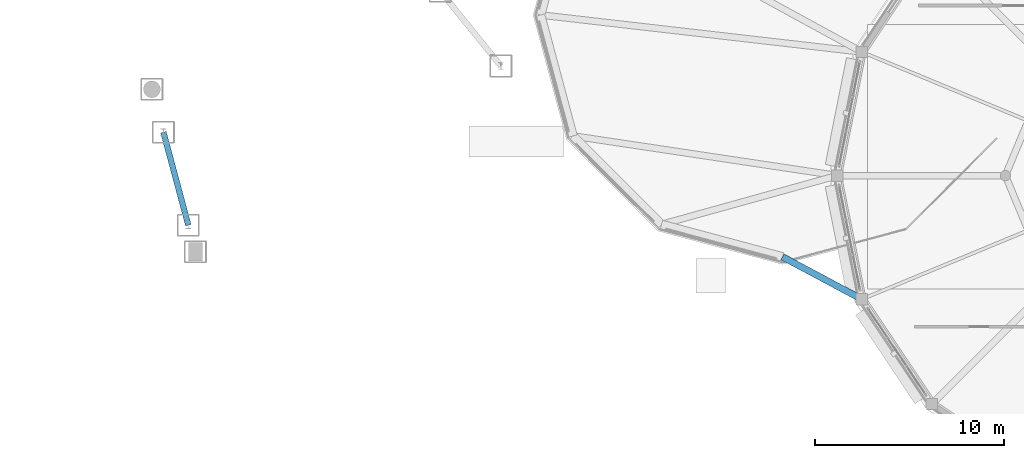
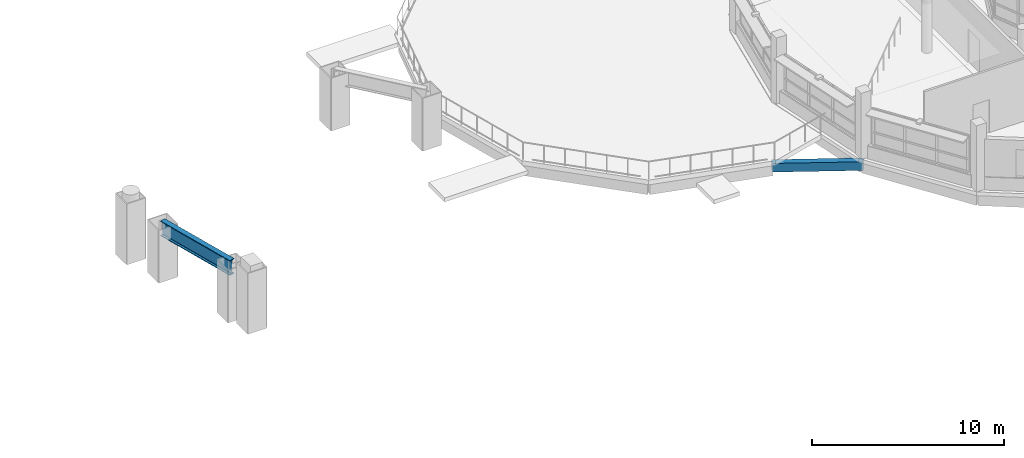
# One storey, part 36 of 128: 2 beams.
"""IFC4 building model written with IfcOpenShell, lengths in metres."""

from ifc_helpers import new_model, si_unit, direction, frame, origin, origin_2d, place, context, subcontext, project, spatial, rectangle, i_section, extrude, material, material_profile, profile_set, type_object, element, save


model = new_model("IFC4")

# Units and contexts
model_context = context("Model", 3, precision=1e-05, world=origin(), true_north=direction((0.0, 1.0)))
body_context = subcontext(model_context, "Body", "Model", "MODEL_VIEW")
ifc_project = project(units=[si_unit("LENGTHUNIT", "METRE"), si_unit("AREAUNIT", "SQUARE_METRE"), si_unit("VOLUMEUNIT", "CUBIC_METRE"), si_unit("PLANEANGLEUNIT", "RADIAN"), si_unit("MASSUNIT", "GRAM", prefix="KILO")], contexts=[model_context])

# Site, building, storey
site_placement = place(None, origin())
site = spatial("IfcSite", under=ifc_project, at=site_placement, CompositionType="ELEMENT")
building_placement = place(site_placement, origin())
building = spatial("IfcBuilding", under=site, at=building_placement, Name="Vespera Passage Community Centre", CompositionType="ELEMENT")
storey_placement = place(building_placement, frame((0.0, 0.0, 4.5)))
storey = spatial("IfcBuildingStorey", under=building, at=storey_placement, Name="L01", CompositionType="ELEMENT", Elevation=4.5)

# Beams
ifc_material_1 = material(Name="Concrete f'c 35 MPa", Category="concrete")
ifc_material_profile_1 = material_profile(ifc_material_1, rectangle(XDim=0.35009765625, YDim=0.550048828125, at=origin_2d()), Name="RC350X550")
ifc_profile_set_1 = profile_set([ifc_material_profile_1], Name="Concrete f'c 35 MPa")
beam_type_1 = type_object("IfcBeamType", Name="BM-J-350X550", PredefinedType="JOIST", material=ifc_profile_set_1)
beam_1_placement = place(storey_placement, frame((121.0, 20.699951171875, -0.574951171875), z_axis=(0.882090324018, -0.471080311915, 0.0), x_axis=(0.471080311915, 0.882090324018, 0.0)))
element("IfcBeam", 1, at=beam_1_placement, inside=storey, type_object=beam_type_1, Name="V3A L01 Radial Tie Girder 8", PredefinedType="JOIST", context=body_context, shape_type="SweptSolid", body=[
    extrude(rectangle(XDim=0.35009765625, YDim=0.550048828125, at=origin_2d()), origin(), (0.0, 0.0, 1.0), 4.76318359375),
])
ifc_material_2 = material(Name="Steel ASTM A992 Grade 50", Category="steel")
ifc_material_profile_2 = material_profile(ifc_material_2, i_section(OverallWidth=0.310302734375, OverallDepth=0.950439453125, WebThickness=0.0244140625, FlangeThickness=0.0439453125, FilletRadius=0.024169921875, at=origin_2d()), Name="W36X256")
ifc_profile_set_2 = profile_set([ifc_material_profile_2], Name="Steel ASTM A992 Grade 50")
beam_type_2 = type_object("IfcBeamType", Name="TG-256", PredefinedType="USERDEFINED", material=ifc_profile_set_2)
beam_2_placement = place(storey_placement, frame((89.556396484375, 22.371337890625, 3.0), z_axis=(-0.258833390731, 0.965921982275, 0.0), x_axis=(-0.965921982275, -0.258833390731, 0.0)))
element("IfcBeam", 2, at=beam_2_placement, inside=storey, type_object=beam_type_2, Name="Pylon Truss Anchor Cap Girder 6", ObjectType="TRANSFER GIRDER", PredefinedType="USERDEFINED", context=body_context, shape_type="SweptSolid", body=[
    extrude(i_section(OverallWidth=0.310302734375, OverallDepth=0.950439453125, WebThickness=0.0244140625, FlangeThickness=0.0439453125, FilletRadius=0.024169921875, at=origin_2d()), origin(), (0.0, 0.0, 1.0), 5.10009765625),
])

save(model, "model.ifc")
